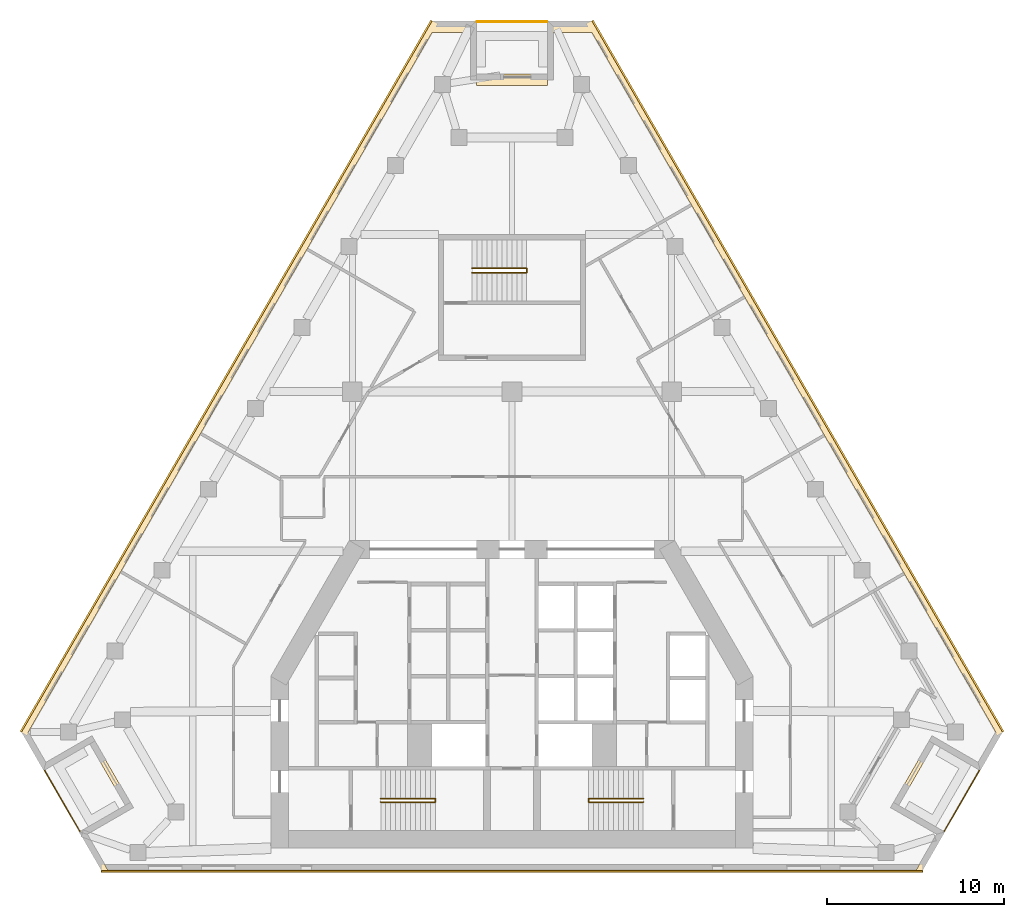
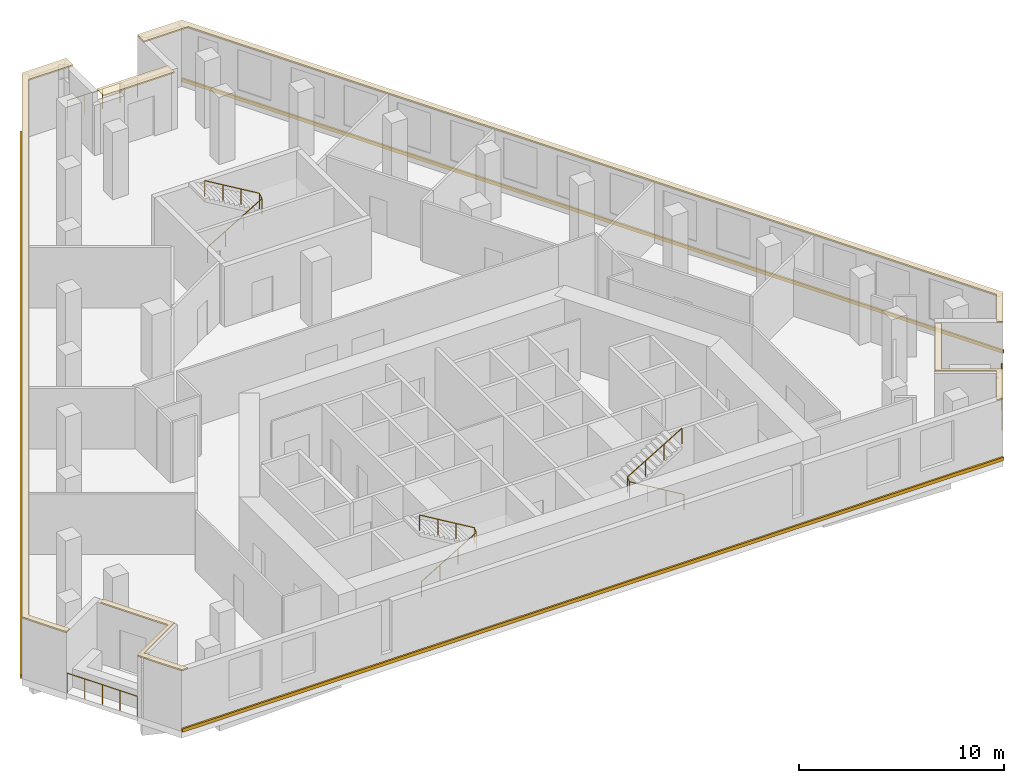
# One storey, part 9 of 9: 8 coverings, 6 railings.
"""IFC4 building model written with IfcOpenShell, lengths in metres."""

import ifcopenshell
import ifcopenshell.guid

model = None  # the IFC model being written
_history = None  # IfcOwnerHistory: only IFC2X3 demands one
_inside = {}  # id of a spatial element -> (the spatial element, [elements in it])
_under = {}  # id of a project, library or spatial element -> (it, [spatial elements below it])
_declared = {}  # id of a project -> (the project, [libraries it declares])
_typed = {}  # id of a type object -> (the type object, [elements of that type])
_made_of = {}  # id of a material, layer set ... -> (it, [elements and type objects made of it])


def new_model(schema):
    """Start an empty IFC model of exactly this schema.

    Asked for "IFC4X3", IfcOpenShell would pick the latest addendum, in which some entities
    have other attributes; the version numbers below select the first issue.
    IFC2X3 requires an IfcOwnerHistory on every rooted entity: one is made here for all.
    """
    global model, _history
    if schema == "IFC4X3":
        model = ifcopenshell.file(schema_version=(4, 3, 0, 0))
    else:
        model = ifcopenshell.file(schema=schema)
    _inside.clear()
    _under.clear()
    _declared.clear()
    _typed.clear()
    _made_of.clear()
    _history = None
    if model.schema == "IFC2X3":
        org = make("IfcOrganization", Name="unknown")
        user = make(
            "IfcPersonAndOrganization",
            ThePerson=make("IfcPerson", FamilyName="unknown"),
            TheOrganization=org,
        )
        app = make(
            "IfcApplication",
            ApplicationDeveloper=org,
            Version="unknown",
            ApplicationFullName="unknown",
            ApplicationIdentifier="unknown",
        )
        _history = make(
            "IfcOwnerHistory",
            OwningUser=user,
            OwningApplication=app,
            ChangeAction="ADDED",
            CreationDate=0,
        )
    return model


def make(cls, **values):
    """One entity of the class cls with the attributes given. An attribute that is None is left unset."""
    return model.create_entity(
        cls, **{name: value for name, value in values.items() if value is not None}
    )


def rooted(cls, **values):
    """An entity with a GlobalId (a new one), such as an element, a storey or a relation."""
    return make(cls, GlobalId=ifcopenshell.guid.new(), OwnerHistory=_history, **values)


def si_unit(unit_type, name, prefix=None):
    """IfcSIUnit, for example si_unit("LENGTHUNIT", "METRE", prefix="MILLI")."""
    return make("IfcSIUnit", UnitType=unit_type, Prefix=prefix, Name=name)


def assignment(units):
    """IfcUnitAssignment: the units of a project."""
    return None if units is None else make("IfcUnitAssignment", Units=units)


def point(xyz):
    """IfcCartesianPoint."""
    return None if xyz is None else make("IfcCartesianPoint", Coordinates=xyz)


def direction(xyz):
    """IfcDirection."""
    return None if xyz is None else make("IfcDirection", DirectionRatios=xyz)


def frame(location, z_axis=None, x_axis=None):
    """IfcAxis2Placement3D, a coordinate frame: its origin and axes. An axis left out is left unset."""
    return make(
        "IfcAxis2Placement3D",
        Location=point(location),
        Axis=direction(z_axis),
        RefDirection=direction(x_axis),
    )


def frame_2d(location, x_axis=None):
    """IfcAxis2Placement2D, a coordinate frame in the plane: its origin and x axis."""
    return make(
        "IfcAxis2Placement2D", Location=point(location), RefDirection=direction(x_axis)
    )


def origin():
    """The frame at (0, 0, 0) with its axes left unset."""
    return frame((0.0, 0.0, 0.0))


def origin_2d():
    """The frame at (0, 0) in the plane with its x axis left unset."""
    return frame_2d((0.0, 0.0))


def place(relative_to, where):
    """IfcLocalPlacement: puts the frame where relative to a parent placement (None: the world)."""
    return make(
        "IfcLocalPlacement", PlacementRelTo=relative_to, RelativePlacement=where
    )


def context(
    kind, dimensions, precision=None, world=None, true_north=None, identifier=None
):
    """IfcGeometricRepresentationContext, for example the 3D "Model" context."""
    return make(
        "IfcGeometricRepresentationContext",
        ContextIdentifier=identifier,
        ContextType=kind,
        CoordinateSpaceDimension=dimensions,
        Precision=precision,
        WorldCoordinateSystem=world,
        TrueNorth=true_north,
    )


def subcontext(parent, identifier, kind, view, scale=None):
    """IfcGeometricRepresentationSubContext, for example "Body" below "Model"."""
    return make(
        "IfcGeometricRepresentationSubContext",
        ContextIdentifier=identifier,
        ContextType=kind,
        ParentContext=parent,
        TargetScale=scale,
        TargetView=view,
    )


def project(units=None, contexts=None):
    """IfcProject with its units and contexts."""
    return rooted(
        "IfcProject",
        Name="project",
        RepresentationContexts=contexts,
        UnitsInContext=assignment(units),
    )


def spatial(cls, under=None, at=None, **own):
    """A site, building, storey or space (cls), placed at a placement, below another one or the project."""
    s = rooted(cls, ObjectPlacement=at, **own)
    if under is not None:
        _under.setdefault(under.id(), (under, []))[1].append(s)
    return s


def polyline(points):
    """IfcPolyline through the points."""
    return make("IfcPolyline", Points=[point(p) for p in points])


def profile(cls, at=None, kind="AREA", **sizes):
    """A parametric profile (cls). Its sizes go by their IFC names, for example OverallWidth=200.0."""
    return make(cls, ProfileType=kind, Position=at, **sizes)


def circle(**sizes):
    """IfcCircleProfileDef."""
    return profile("IfcCircleProfileDef", **sizes)


def outline(outer, holes=None, kind="AREA"):
    """IfcArbitraryClosedProfileDef: a profile drawn as a closed curve; with holes, ...WithVoids."""
    if holes is None:
        return make("IfcArbitraryClosedProfileDef", ProfileType=kind, OuterCurve=outer)
    return make(
        "IfcArbitraryProfileDefWithVoids",
        ProfileType=kind,
        OuterCurve=outer,
        InnerCurves=holes,
    )


def extrude(swept, where, along, depth):
    """IfcExtrudedAreaSolid: the profile swept, set in the frame where, extruded along a direction by depth."""
    return make(
        "IfcExtrudedAreaSolid",
        SweptArea=swept,
        Position=where,
        ExtrudedDirection=direction(along),
        Depth=depth,
    )


def shape(context_of_items, identifier, shape_type, items):
    """IfcShapeRepresentation: the items that make up one representation, for example the "Body"."""
    return make(
        "IfcShapeRepresentation",
        ContextOfItems=context_of_items,
        RepresentationIdentifier=identifier,
        RepresentationType=shape_type,
        Items=items,
    )


def material(Name=None, Category=None):
    """IfcMaterial."""
    return make("IfcMaterial", Name=Name, Category=Category)


def layer(
    of_material, thickness, ventilated=None, Name=None, Category=None, Priority=None
):
    """IfcMaterialLayer: one layer of a wall or slab, of a material (None: an air gap)."""
    return make(
        "IfcMaterialLayer",
        Material=of_material,
        LayerThickness=thickness,
        IsVentilated=ventilated,
        Name=Name,
        Category=Category,
        Priority=Priority,
    )


def layer_set(layers, Name=None):
    """IfcMaterialLayerSet."""
    return make("IfcMaterialLayerSet", MaterialLayers=layers, LayerSetName=Name)


def made_of(thing, what):
    """Note that an element or type object is made of a material, layer set ...; save() writes the relation."""
    if what is not None:
        _made_of.setdefault(what.id(), (what, []))[1].append(thing)
    return thing


def type_object(cls, material=None, **own):
    """A type object (cls), such as IfcWallType, which elements share."""
    return made_of(rooted(cls, **own), material)


def element(
    cls,
    number,
    at=None,
    inside=None,
    cuts=None,
    type_object=None,
    material=None,
    context=None,
    identifier="Body",
    shape_type=None,
    held_by="IfcProductDefinitionShape",
    body=None,
    shapes=None,
    **own,
):
    """One element of the class cls, such as IfcWall. Its Tag is "e" and its number.

    at: its placement. inside: the storey or other place that contains it. cuts: it is an
    opening in that element (IfcRelVoidsElement). A single representation is given by context,
    identifier, shape_type and body (its items); several are given by shapes. held_by: the class
    of the entity that holds the representations. save() writes the other relations.
    """
    e = rooted(cls, Tag="e%d" % number, ObjectPlacement=at, **own)
    if body is not None:
        shapes = [shape(context, identifier, shape_type, body)]
    if shapes is not None:
        e.Representation = make(held_by, Representations=shapes)
    if inside is not None:
        _inside.setdefault(inside.id(), (inside, []))[1].append(e)
    if cuts is not None:
        rooted(
            "IfcRelVoidsElement", RelatingBuildingElement=cuts, RelatedOpeningElement=e
        )
    if type_object is not None:
        _typed.setdefault(type_object.id(), (type_object, []))[1].append(e)
    return made_of(e, material)


def aggregate(whole, parts):
    """IfcRelAggregates: a whole, such as a stair, and the parts it consists of."""
    return rooted("IfcRelAggregates", RelatingObject=whole, RelatedObjects=parts)


def save(model, path):
    """Write the relations noted so far, then the file.

    IfcRelAggregates (storeys below a building ...), IfcRelContainedInSpatialStructure (elements
    in a storey), IfcRelDefinesByType, IfcRelAssociatesMaterial and IfcRelDeclares: one each for
    every whole, place, type object, material and project.
    """
    for whole, parts in _under.values():
        aggregate(whole, parts)
    for where, things in _inside.values():
        rooted(
            "IfcRelContainedInSpatialStructure",
            RelatedElements=things,
            RelatingStructure=where,
        )
    for kind, things in _typed.values():
        rooted("IfcRelDefinesByType", RelatedObjects=things, RelatingType=kind)
    for what, things in _made_of.values():
        rooted("IfcRelAssociatesMaterial", RelatedObjects=things, RelatingMaterial=what)
    for by, libraries in _declared.values():
        rooted("IfcRelDeclares", RelatingContext=by, RelatedDefinitions=libraries)
    model.write(path)


model = new_model("IFC4")

# Units and contexts
model_context = context("Model", 3, precision=1e-05, world=origin(), true_north=direction((0.0, 1.0)))
body_context = subcontext(model_context, "Body", "Model", "MODEL_VIEW")
ifc_project = project(units=[si_unit("LENGTHUNIT", "METRE"), si_unit("AREAUNIT", "SQUARE_METRE"), si_unit("VOLUMEUNIT", "CUBIC_METRE"), si_unit("PLANEANGLEUNIT", "RADIAN"), si_unit("MASSUNIT", "GRAM", prefix="KILO")], contexts=[model_context])

# Site, building, storey
site_placement = place(None, origin())
site = spatial("IfcSite", under=ifc_project, at=site_placement, CompositionType="ELEMENT")
building_placement = place(site_placement, origin())
building = spatial("IfcBuilding", under=site, at=building_placement, Name="Fogline Exchange Tower", CompositionType="ELEMENT")
storey_placement = place(building_placement, frame((0.0, 0.0, 202.10009765625)))
storey = spatial("IfcBuildingStorey", under=building, at=storey_placement, Name="L45", CompositionType="ELEMENT", Elevation=202.10009765625)

# Coverings
ifc_material_1 = material(Name="Granite", Category="masonry")
ifc_layer = layer(ifc_material_1, 0.080078125)
ifc_layer_set = layer_set([ifc_layer], Name="CP1")
covering_type_1 = type_object("IfcCoveringType", Name="CP1", PredefinedType="USERDEFINED", material=ifc_layer_set)
covering_1_placement = place(storey_placement, frame((0.0, 0.0, 3.599853515625)))
element("IfcCovering", 1, at=covering_1_placement, inside=storey, type_object=covering_type_1, Name="Ledge coping L45", ObjectType="COPING", PredefinedType="USERDEFINED", context=body_context, shape_type="SweptSolid", body=[
    extrude(outline(polyline([(-26.408935546875, 5.629150390625), (-26.129638671875, 5.790283203125), (-27.28662109375, 7.794189453125), (-4.5, 47.26171875), (-2.0, 47.26171875), (-2.0, 47.90673828125), (-4.5, 47.90673828125), (-27.658935546875, 7.794189453125), (-26.408935546875, 5.629150390625)])), origin(), (0.0, 0.0, 1.0), 0.080078125),
])
covering_2_placement = place(storey_placement, frame((0.0, 0.0, 3.599853515625)))
element("IfcCovering", 2, at=covering_2_placement, inside=storey, type_object=covering_type_1, Name="Ledge coping L45", ObjectType="COPING", PredefinedType="USERDEFINED", context=body_context, shape_type="SweptSolid", body=[
    extrude(outline(polyline([(-23.158935546875, 0.0), (-22.78662109375, 0.0), (-24.03662109375, 2.1650390625), (-21.4384765625, 3.6650390625), (-23.4384765625, 7.129150390625), (-23.7177734375, 6.968017578125), (-21.810791015625, 3.6650390625), (-24.408935546875, 2.1650390625), (-23.158935546875, 0.0)])), origin(), (0.0, 0.0, 1.0), 0.080078125),
])
covering_3_placement = place(storey_placement, frame((0.0, 0.0, 3.599853515625)))
element("IfcCovering", 3, at=covering_3_placement, inside=storey, type_object=covering_type_1, Name="Ledge coping L45", ObjectType="COPING", PredefinedType="USERDEFINED", context=body_context, shape_type="SweptSolid", body=[
    extrude(outline(polyline([(21.810791015625, 3.6650390625), (23.7177734375, 6.968017578125), (23.4384765625, 7.129150390625), (21.4384765625, 3.6650390625), (24.03662109375, 2.1650390625), (22.78662109375, 0.0), (23.158935546875, 0.0), (24.408935546875, 2.1650390625), (21.810791015625, 3.6650390625)])), origin(), (0.0, 0.0, 1.0), 0.080078125),
])
covering_4_placement = place(storey_placement, frame((0.0, 0.0, 3.599853515625)))
element("IfcCovering", 4, at=covering_4_placement, inside=storey, type_object=covering_type_1, Name="Ledge coping L45", ObjectType="COPING", PredefinedType="USERDEFINED", context=body_context, shape_type="SweptSolid", body=[
    extrude(outline(polyline([(2.0, 47.90673828125), (2.0, 47.26171875), (4.5, 47.26171875), (27.28662109375, 7.794189453125), (26.129638671875, 5.790283203125), (26.408935546875, 5.629150390625), (27.658935546875, 7.794189453125), (4.5, 47.90673828125), (2.0, 47.90673828125)])), origin(), (0.0, 0.0, 1.0), 0.080078125),
])
covering_5_placement = place(storey_placement, frame((0.0, 0.0, 3.599853515625)))
element("IfcCovering", 5, at=covering_5_placement, inside=storey, type_object=covering_type_1, Name="Ledge coping L45", ObjectType="COPING", PredefinedType="USERDEFINED", context=body_context, shape_type="SweptSolid", body=[
    extrude(outline(polyline([(2.0, 44.90673828125), (-2.0, 44.90673828125), (-2.0, 44.26171875), (2.0, 44.26171875), (2.0, 44.90673828125)])), origin(), (0.0, 0.0, 1.0), 0.080078125),
])

# Railings
ifc_material_2 = material(Name="Stainless steel 304", Category="steel")
railing_type_1 = type_object("IfcRailingType", Name="G1", PredefinedType="GUARDRAIL", material=ifc_material_2)
railing_1_placement = place(storey_placement, frame((-26.35498046875, 5.635986328125, 0.0)))
element("IfcRailing", 6, at=railing_1_placement, inside=storey, type_object=railing_type_1, Name="Balcony guard L45 SW", PredefinedType="GUARDRAIL", context=body_context, shape_type="SweptSolid", body=[
    extrude(circle(Radius=0.02392578125, at=origin_2d()), frame((0.0, 0.0, 1.17578125), z_axis=(0.499953838557, -0.866052053466, 0.0), x_axis=(0.866052053466, 0.499953838557, 0.0)), (0.0, 0.0, 1.0), 3.957763671875),
    extrude(circle(Radius=0.02099609375, at=origin_2d()), origin(), (0.0, 0.0, 1.0), 1.15185546875),
    extrude(circle(Radius=0.02099609375, at=origin_2d()), frame((0.49462890625, -0.85693359375, 0.0)), (0.0, 0.0, 1.0), 1.15185546875),
    extrude(circle(Radius=0.02099609375, at=origin_2d()), frame((0.9892578125, -1.7138671875, 0.0)), (0.0, 0.0, 1.0), 1.15185546875),
    extrude(circle(Radius=0.02099609375, at=origin_2d()), frame((1.484130859375, -2.57080078125, 0.0)), (0.0, 0.0, 1.0), 1.15185546875),
    extrude(circle(Radius=0.02099609375, at=origin_2d()), frame((1.978759765625, -3.427734375, 0.0)), (0.0, 0.0, 1.0), 1.15185546875),
])
railing_2_placement = place(storey_placement, frame((24.376220703125, 2.208251953125, 0.0)))
element("IfcRailing", 7, at=railing_2_placement, inside=storey, type_object=railing_type_1, Name="Balcony guard L45 SE", PredefinedType="GUARDRAIL", context=body_context, shape_type="SweptSolid", body=[
    extrude(circle(Radius=0.02392578125, at=origin_2d()), frame((0.0, 0.0, 1.17578125), z_axis=(0.499953838557, 0.866052053466, 0.0), x_axis=(-0.866052053466, 0.499953838557, 0.0)), (0.0, 0.0, 1.0), 3.957763671875),
    extrude(circle(Radius=0.02099609375, at=origin_2d()), origin(), (0.0, 0.0, 1.0), 1.15185546875),
    extrude(circle(Radius=0.02099609375, at=origin_2d()), frame((0.49462890625, 0.85693359375, 0.0)), (0.0, 0.0, 1.0), 1.15185546875),
    extrude(circle(Radius=0.02099609375, at=origin_2d()), frame((0.9892578125, 1.7138671875, 0.0)), (0.0, 0.0, 1.0), 1.15185546875),
    extrude(circle(Radius=0.02099609375, at=origin_2d()), frame((1.484130859375, 2.57080078125, 0.0)), (0.0, 0.0, 1.0), 1.15185546875),
    extrude(circle(Radius=0.02099609375, at=origin_2d()), frame((1.978759765625, 3.427734375, 0.0)), (0.0, 0.0, 1.0), 1.15185546875),
])
railing_3_placement = place(storey_placement, frame((1.97900390625, 47.856689453125, 0.0)))
element("IfcRailing", 8, at=railing_3_placement, inside=storey, type_object=railing_type_1, Name="Balcony guard L45 N", PredefinedType="GUARDRAIL", context=body_context, shape_type="SweptSolid", body=[
    extrude(circle(Radius=0.02392578125, at=origin_2d()), frame((0.0, 0.0, 1.17578125), z_axis=(-1.0, 0.0, 0.0), x_axis=(0.0, -1.0, 0.0)), (0.0, 0.0, 1.0), 3.9580078125),
    extrude(circle(Radius=0.02099609375, at=origin_2d()), origin(), (0.0, 0.0, 1.0), 1.15185546875),
    extrude(circle(Radius=0.02099609375, at=origin_2d()), frame((-0.989501953125, 0.0, 0.0)), (0.0, 0.0, 1.0), 1.15185546875),
    extrude(circle(Radius=0.02099609375, at=origin_2d()), frame((-1.97900390625, 0.0, 0.0)), (0.0, 0.0, 1.0), 1.15185546875),
    extrude(circle(Radius=0.02099609375, at=origin_2d()), frame((-2.968505859375, 0.0, 0.0)), (0.0, 0.0, 1.0), 1.15185546875),
    extrude(circle(Radius=0.02099609375, at=origin_2d()), frame((-3.9580078125, 0.0, 0.0)), (0.0, 0.0, 1.0), 1.15185546875),
])
ifc_material_3 = material(Name="Steel Q235B", Category="steel")
railing_type_2 = type_object("IfcRailingType", Name="RL-HR", PredefinedType="HANDRAIL", material=ifc_material_3)
railing_4_placement = place(storey_placement, frame((-7.39990234375, 3.85009765625, 0.16650390625)))
element("IfcRailing", 9, at=railing_4_placement, inside=storey, type_object=railing_type_2, Name="Handrail ST1", PredefinedType="HANDRAIL", context=body_context, shape_type="SweptSolid", body=[
    extrude(circle(Radius=0.02392578125, at=origin_2d()), frame((0.0, 0.0, 0.92578125), z_axis=(0.859260807169, 0.0, 0.511537745687), x_axis=(0.0, 1.0, 0.0)), (0.0, 0.0, 1.0), 3.584228515625),
    extrude(circle(Radius=0.02392578125, at=origin_2d()), frame((3.079833984375, 0.0, 2.75927734375), z_axis=(0.0, 0.768451954486, 0.639907488351), x_axis=(-1.0, 0.0, 0.0)), (0.0, 0.0, 1.0), 0.26025390625),
    extrude(circle(Radius=0.02392578125, at=origin_2d()), frame((3.079833984375, 0.199951171875, 2.92578125), z_axis=(-0.859260807169, 0.0, 0.511537745687), x_axis=(0.0, -1.0, 0.0)), (0.0, 0.0, 1.0), 3.584228515625),
    extrude(circle(Radius=0.02099609375, at=origin_2d()), origin(), (0.0, 0.0, 1.0), 0.90185546875),
    extrude(circle(Radius=0.02099609375, at=origin_2d()), frame((1.026611328125, 0.0, 0.611083984375)), (0.0, 0.0, 1.0), 0.90185546875),
    extrude(circle(Radius=0.02099609375, at=origin_2d()), frame((2.05322265625, 0.0, 1.222412109375)), (0.0, 0.0, 1.0), 0.90185546875),
    extrude(circle(Radius=0.02099609375, at=origin_2d()), frame((3.079833984375, 0.0, 1.83349609375)), (0.0, 0.0, 1.0), 0.90185546875),
    extrude(circle(Radius=0.02099609375, at=origin_2d()), frame((3.079833984375, 0.199951171875, 2.0)), (0.0, 0.0, 1.0), 0.90185546875),
    extrude(circle(Radius=0.02099609375, at=origin_2d()), frame((2.05322265625, 0.199951171875, 2.611083984375)), (0.0, 0.0, 1.0), 0.90185546875),
    extrude(circle(Radius=0.02099609375, at=origin_2d()), frame((1.026611328125, 0.199951171875, 3.222412109375)), (0.0, 0.0, 1.0), 0.90185546875),
    extrude(circle(Radius=0.02099609375, at=origin_2d()), frame((0.0, 0.199951171875, 3.83349609375)), (0.0, 0.0, 1.0), 0.90185546875),
])
railing_5_placement = place(storey_placement, frame((7.39990234375, 3.85009765625, 0.16650390625)))
element("IfcRailing", 10, at=railing_5_placement, inside=storey, type_object=railing_type_2, Name="Handrail ST2", PredefinedType="HANDRAIL", context=body_context, shape_type="SweptSolid", body=[
    extrude(circle(Radius=0.02392578125, at=origin_2d()), frame((0.0, 0.0, 0.92578125), z_axis=(-0.859260807169, 0.0, 0.511537745687), x_axis=(0.0, -1.0, 0.0)), (0.0, 0.0, 1.0), 3.584228515625),
    extrude(circle(Radius=0.02392578125, at=origin_2d()), frame((-3.079833984375, 0.0, 2.75927734375), z_axis=(0.0, 0.768451954486, 0.639907488351), x_axis=(-1.0, 0.0, 0.0)), (0.0, 0.0, 1.0), 0.26025390625),
    extrude(circle(Radius=0.02392578125, at=origin_2d()), frame((-3.079833984375, 0.199951171875, 2.92578125), z_axis=(0.859260807169, 0.0, 0.511537745687), x_axis=(0.0, 1.0, 0.0)), (0.0, 0.0, 1.0), 3.584228515625),
    extrude(circle(Radius=0.02099609375, at=origin_2d()), origin(), (0.0, 0.0, 1.0), 0.90185546875),
    extrude(circle(Radius=0.02099609375, at=origin_2d()), frame((-1.026611328125, 0.0, 0.611083984375)), (0.0, 0.0, 1.0), 0.90185546875),
    extrude(circle(Radius=0.02099609375, at=origin_2d()), frame((-2.05322265625, 0.0, 1.222412109375)), (0.0, 0.0, 1.0), 0.90185546875),
    extrude(circle(Radius=0.02099609375, at=origin_2d()), frame((-3.079833984375, 0.0, 1.83349609375)), (0.0, 0.0, 1.0), 0.90185546875),
    extrude(circle(Radius=0.02099609375, at=origin_2d()), frame((-3.079833984375, 0.199951171875, 2.0)), (0.0, 0.0, 1.0), 0.90185546875),
    extrude(circle(Radius=0.02099609375, at=origin_2d()), frame((-2.05322265625, 0.199951171875, 2.611083984375)), (0.0, 0.0, 1.0), 0.90185546875),
    extrude(circle(Radius=0.02099609375, at=origin_2d()), frame((-1.026611328125, 0.199951171875, 3.222412109375)), (0.0, 0.0, 1.0), 0.90185546875),
    extrude(circle(Radius=0.02099609375, at=origin_2d()), frame((0.0, 0.199951171875, 3.83349609375)), (0.0, 0.0, 1.0), 0.90185546875),
])
railing_6_placement = place(storey_placement, frame((-2.25, 33.70703125, 0.16650390625)))
element("IfcRailing", 11, at=railing_6_placement, inside=storey, type_object=railing_type_2, Name="Handrail ST3", PredefinedType="HANDRAIL", context=body_context, shape_type="SweptSolid", body=[
    extrude(circle(Radius=0.02392578125, at=origin_2d()), frame((0.0, 0.0, 0.92578125), z_axis=(0.85927862911, 0.0, 0.511507807912), x_axis=(0.0, 1.0, 0.0)), (0.0, 0.0, 1.0), 3.58447265625),
    extrude(circle(Radius=0.02392578125, at=origin_2d()), frame((3.080078125, 0.0, 2.75927734375), z_axis=(0.0, 0.832300300006, 0.554325004496), x_axis=(-1.0, 0.0, 0.0)), (0.0, 0.0, 1.0), 0.30029296875),
    extrude(circle(Radius=0.02392578125, at=origin_2d()), frame((3.080078125, 0.25, 2.92578125), z_axis=(-0.85927862911, 0.0, 0.511507807912), x_axis=(0.0, -1.0, 0.0)), (0.0, 0.0, 1.0), 3.58447265625),
    extrude(circle(Radius=0.02099609375, at=origin_2d()), origin(), (0.0, 0.0, 1.0), 0.90185546875),
    extrude(circle(Radius=0.02099609375, at=origin_2d()), frame((1.026611328125, 0.0, 0.611083984375)), (0.0, 0.0, 1.0), 0.90185546875),
    extrude(circle(Radius=0.02099609375, at=origin_2d()), frame((2.053466796875, 0.0, 1.222412109375)), (0.0, 0.0, 1.0), 0.90185546875),
    extrude(circle(Radius=0.02099609375, at=origin_2d()), frame((3.080078125, 0.0, 1.83349609375)), (0.0, 0.0, 1.0), 0.90185546875),
    extrude(circle(Radius=0.02099609375, at=origin_2d()), frame((3.080078125, 0.25, 2.0)), (0.0, 0.0, 1.0), 0.90185546875),
    extrude(circle(Radius=0.02099609375, at=origin_2d()), frame((2.053466796875, 0.25, 2.611083984375)), (0.0, 0.0, 1.0), 0.90185546875),
    extrude(circle(Radius=0.02099609375, at=origin_2d()), frame((1.026611328125, 0.25, 3.222412109375)), (0.0, 0.0, 1.0), 0.90185546875),
    extrude(circle(Radius=0.02099609375, at=origin_2d()), frame((0.0, 0.25, 3.83349609375)), (0.0, 0.0, 1.0), 0.90185546875),
])

# Coverings
ifc_material_4 = material(Name="Brick masonry", Category="masonry")
covering_type_2 = type_object("IfcCoveringType", Name="SB1", PredefinedType="CLADDING", material=ifc_material_4)
covering_6_placement = place(storey_placement, origin())
element("IfcCovering", 12, at=covering_6_placement, inside=storey, type_object=covering_type_2, Name="Stringcourse band L45 S", PredefinedType="CLADDING", context=body_context, shape_type="SweptSolid", body=[
    extrude(outline(polyline([(-23.158935546875, 0.0), (-23.158935546875, -0.10009765625), (23.158935546875, -0.10009765625), (23.158935546875, 0.0), (-23.158935546875, 0.0)])), origin(), (0.0, 0.0, 1.0), 0.199951171875),
])
covering_7_placement = place(storey_placement, origin())
element("IfcCovering", 13, at=covering_7_placement, inside=storey, type_object=covering_type_2, Name="Stringcourse band L45 E", PredefinedType="CLADDING", context=body_context, shape_type="SweptSolid", body=[
    extrude(outline(polyline([(27.658935546875, 7.794189453125), (27.74560546875, 7.84423828125), (4.586669921875, 47.956787109375), (4.5, 47.90673828125), (27.658935546875, 7.794189453125)])), origin(), (0.0, 0.0, 1.0), 0.199951171875),
])
covering_8_placement = place(storey_placement, origin())
element("IfcCovering", 14, at=covering_8_placement, inside=storey, type_object=covering_type_2, Name="Stringcourse band L45 W", PredefinedType="CLADDING", context=body_context, shape_type="SweptSolid", body=[
    extrude(outline(polyline([(-4.5, 47.90673828125), (-4.586669921875, 47.956787109375), (-27.74560546875, 7.84423828125), (-27.658935546875, 7.794189453125), (-4.5, 47.90673828125)])), origin(), (0.0, 0.0, 1.0), 0.199951171875),
])

save(model, "model.ifc")
